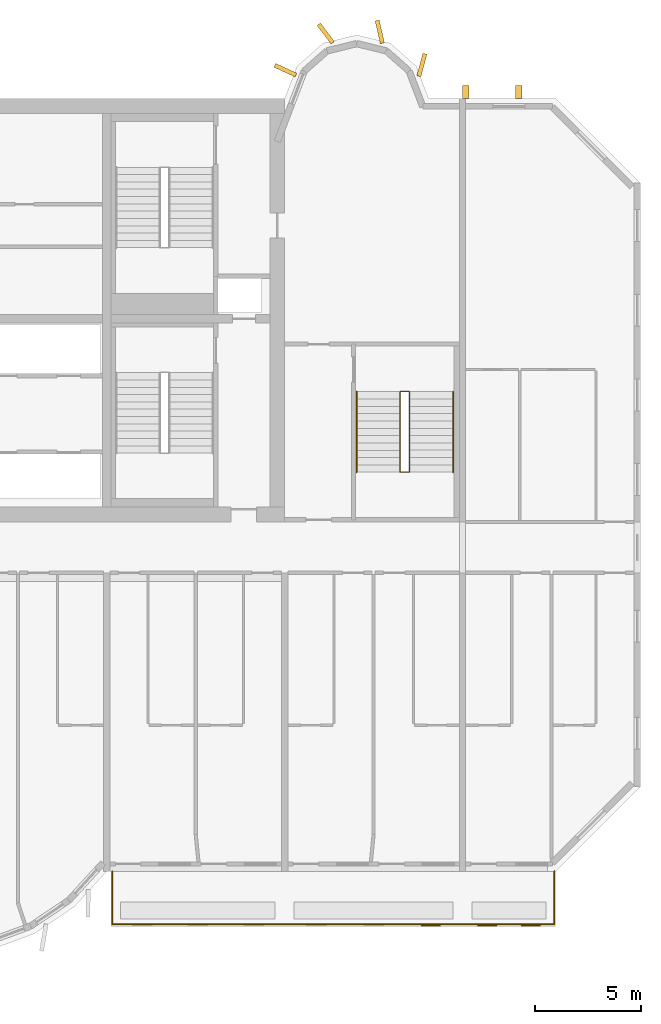
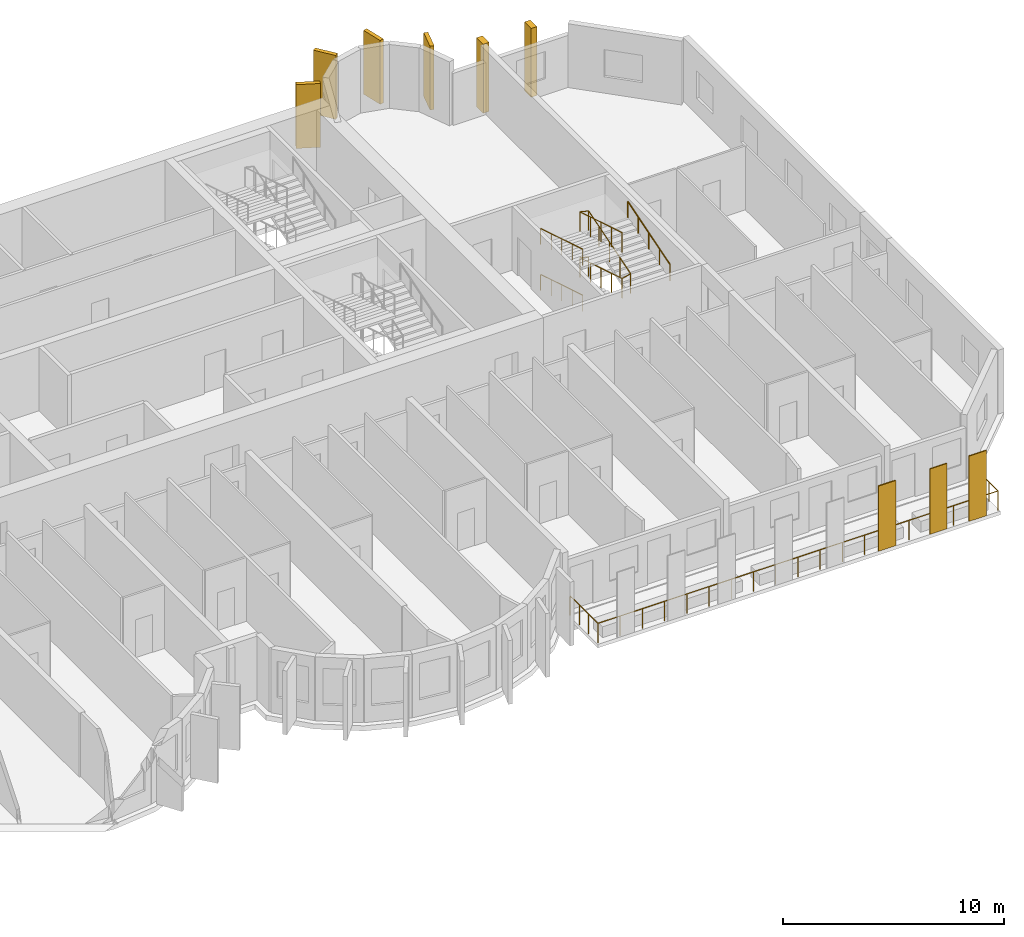
# One storey, part 12 of 13: 9 coverings, 5 railings.
"""IFC4 building model written with IfcOpenShell, lengths in metres."""

from ifc_helpers import new_model, si_unit, direction, frame, origin, origin_2d, place, context, subcontext, project, spatial, rectangle, circle, extrude, source, transform, mapped, material, layer, layer_set, material_profile, profile_set, type_object, element, save


model = new_model("IFC4")

# Units and contexts
model_context = context("Model", 3, precision=1e-05, world=origin(), true_north=direction((0.0, 1.0)))
body_context = subcontext(model_context, "Body", "Model", "MODEL_VIEW")
ifc_project = project(units=[si_unit("LENGTHUNIT", "METRE"), si_unit("AREAUNIT", "SQUARE_METRE"), si_unit("VOLUMEUNIT", "CUBIC_METRE"), si_unit("PLANEANGLEUNIT", "RADIAN"), si_unit("MASSUNIT", "GRAM", prefix="KILO")], contexts=[model_context])

# Site, building, storey
site_placement = place(None, origin())
site = spatial("IfcSite", under=ifc_project, at=site_placement, CompositionType="ELEMENT")
building_placement = place(site_placement, origin())
building = spatial("IfcBuilding", under=site, at=building_placement, Name="Vanashikhar Sky Hotel", CompositionType="ELEMENT")
storey_placement = place(building_placement, frame((0.0, 0.0, 182.0)))
storey = spatial("IfcBuildingStorey", under=building, at=storey_placement, Name="L44", CompositionType="ELEMENT", Elevation=182.0)

# Coverings
ifc_material_1 = material(Name="Terracotta", Category="masonry")
ifc_layer = layer(ifc_material_1, 0.06005859375)
ifc_layer_set = layer_set([ifc_layer], Name="Terracotta baguette screen")
covering_type_1 = type_object("IfcCoveringType", Name="Terracotta baguette screen", PredefinedType="CLADDING", material=ifc_layer_set)
shared_shape_1 = source(origin(), body_context, "Body", "SweptSolid", [
    extrude(rectangle(XDim=0.89990234375, YDim=0.06005859375, at=origin_2d()), origin(), (0.0, 0.0, 1.0), 3.60009765625),
])
for number, where, z_axis, x_axis, name in (
    (1, (82.5, 2.929931640625, -0.050048828125), (0.0, 0.0, 1.0), (1.0, 0.0, 0.0), "Terracotta screen"),
    (2, (85.175048828125, 2.929931640625, -0.050048828125), (0.0, 0.0, 1.0), (1.0, 0.0, 0.0), "Terracotta screen"),
    (3, (87.22509765625, 2.929931640625, -0.050048828125), (0.0, 0.0, 1.0), (1.0, 0.0, 0.0), "Terracotta screen"),
):
    element("IfcCovering", number, at=place(storey_placement, frame(where, z_axis=z_axis, x_axis=x_axis)), inside=storey, type_object=covering_type_1, Name=name, PredefinedType="CLADDING", context=body_context, shape_type="MappedRepresentation", body=[
        mapped(shared_shape_1, transform((0.0, 0.0, 0.0), scale=1.0)),
    ])
ifc_material_2 = material(Name="Concrete M60 dark", Category="concrete")
ifc_material_profile_1 = material_profile(ifc_material_2, rectangle(XDim=1.10009765625, YDim=0.199951171875, at=origin_2d()))
ifc_profile_set_1 = profile_set([ifc_material_profile_1], Name="Rear lobe fin 1100 x 200")
covering_type_2 = type_object("IfcCoveringType", Name="Rear lobe fin 1100 x 200", PredefinedType="CLADDING", material=ifc_profile_set_1)
shared_shape_2 = source(origin(), body_context, "Body", "SweptSolid", [
    extrude(rectangle(XDim=1.10009765625, YDim=0.199951171875, at=origin_2d()), origin(), (0.0, 0.0, 1.0), 3.52001953125),
])
for number, where, z_axis, x_axis, name in (
    (4, (75.63037109375, 43.33447265625, 0.0), (0.0, 0.0, 1.0), (-0.908004291068, 0.418960866193, 0.0), "Fin R2-1"),
    (5, (77.5380859375, 45.06640625, 0.0), (0.0, 0.0, 1.0), (-0.602065892195, 0.798446404874, 0.0), "Fin R2-2"),
    (6, (80.08984375, 45.1455078125, 0.0), (0.0, 0.0, 1.0), (-0.224644935864, 0.974440687159, 0.0), "Fin R2-3"),
    (7, (82.0791015625, 43.580078125, 0.0), (0.0, 0.0, 1.0), (0.262711264409, 0.964874495234, 0.0), "Fin R2-4"),
):
    element("IfcCovering", number, at=place(storey_placement, frame(where, z_axis=z_axis, x_axis=x_axis)), inside=storey, type_object=covering_type_2, Name=name, PredefinedType="CLADDING", context=body_context, shape_type="MappedRepresentation", body=[
        mapped(shared_shape_2, transform((0.0, 0.0, 0.0), scale=1.0)),
    ])

# Railing
ifc_material_3 = material(Name="Stainless steel 316", Category="steel")
railing_type_1 = type_object("IfcRailingType", Name="Balcony guard 1100", PredefinedType="GUARDRAIL", material=ifc_material_3)
shared_shape_3 = source(origin(), body_context, "Body", "SweptSolid", [
    extrude(circle(Radius=0.02392578125, at=origin_2d()), frame((0.0, 0.0, 1.076171875), z_axis=(0.0, -1.0, 0.0), x_axis=(1.0, 0.0, 0.0)), (0.0, 0.0, 1.0), 2.5),
    extrude(circle(Radius=0.02392578125, at=origin_2d()), frame((0.0, -2.5, 1.076171875), z_axis=(1.0, 0.0, 0.0), x_axis=(0.0, 1.0, 0.0)), (0.0, 0.0, 1.0), 20.880126953125),
    extrude(circle(Radius=0.02392578125, at=origin_2d()), frame((20.880126953125, -2.5, 1.076171875), z_axis=(0.0, 1.0, 0.0), x_axis=(-1.0, 0.0, 0.0)), (0.0, 0.0, 1.0), 2.5),
    extrude(circle(Radius=0.02099609375, at=origin_2d()), origin(), (0.0, 0.0, 1.0), 1.052001953125),
    extrude(circle(Radius=0.02099609375, at=origin_2d()), frame((0.0, -0.833251953125, 0.0)), (0.0, 0.0, 1.0), 1.052001953125),
    extrude(circle(Radius=0.02099609375, at=origin_2d()), frame((0.0, -1.666748046875, 0.0)), (0.0, 0.0, 1.0), 1.052001953125),
    extrude(circle(Radius=0.02099609375, at=origin_2d()), frame((0.0, -2.5, 0.0)), (0.0, 0.0, 1.0), 1.052001953125),
    extrude(circle(Radius=0.02099609375, at=origin_2d()), frame((1.159912109375, -2.5, 0.0)), (0.0, 0.0, 1.0), 1.052001953125),
    extrude(circle(Radius=0.02099609375, at=origin_2d()), frame((2.320068359375, -2.5, 0.0)), (0.0, 0.0, 1.0), 1.052001953125),
    extrude(circle(Radius=0.02099609375, at=origin_2d()), frame((3.47998046875, -2.5, 0.0)), (0.0, 0.0, 1.0), 1.052001953125),
    extrude(circle(Radius=0.02099609375, at=origin_2d()), frame((4.64013671875, -2.5, 0.0)), (0.0, 0.0, 1.0), 1.052001953125),
    extrude(circle(Radius=0.02099609375, at=origin_2d()), frame((5.800048828125, -2.5, 0.0)), (0.0, 0.0, 1.0), 1.052001953125),
    extrude(circle(Radius=0.02099609375, at=origin_2d()), frame((6.9599609375, -2.5, 0.0)), (0.0, 0.0, 1.0), 1.052001953125),
    extrude(circle(Radius=0.02099609375, at=origin_2d()), frame((8.1201171875, -2.5, 0.0)), (0.0, 0.0, 1.0), 1.052001953125),
    extrude(circle(Radius=0.02099609375, at=origin_2d()), frame((9.280029296875, -2.5, 0.0)), (0.0, 0.0, 1.0), 1.052001953125),
    extrude(circle(Radius=0.02099609375, at=origin_2d()), frame((10.43994140625, -2.5, 0.0)), (0.0, 0.0, 1.0), 1.052001953125),
    extrude(circle(Radius=0.02099609375, at=origin_2d()), frame((11.60009765625, -2.5, 0.0)), (0.0, 0.0, 1.0), 1.052001953125),
    extrude(circle(Radius=0.02099609375, at=origin_2d()), frame((12.760009765625, -2.5, 0.0)), (0.0, 0.0, 1.0), 1.052001953125),
    extrude(circle(Radius=0.02099609375, at=origin_2d()), frame((13.920166015625, -2.5, 0.0)), (0.0, 0.0, 1.0), 1.052001953125),
    extrude(circle(Radius=0.02099609375, at=origin_2d()), frame((15.080078125, -2.5, 0.0)), (0.0, 0.0, 1.0), 1.052001953125),
    extrude(circle(Radius=0.02099609375, at=origin_2d()), frame((16.239990234375, -2.5, 0.0)), (0.0, 0.0, 1.0), 1.052001953125),
    extrude(circle(Radius=0.02099609375, at=origin_2d()), frame((17.400146484375, -2.5, 0.0)), (0.0, 0.0, 1.0), 1.052001953125),
    extrude(circle(Radius=0.02099609375, at=origin_2d()), frame((18.56005859375, -2.5, 0.0)), (0.0, 0.0, 1.0), 1.052001953125),
    extrude(circle(Radius=0.02099609375, at=origin_2d()), frame((19.72021484375, -2.5, 0.0)), (0.0, 0.0, 1.0), 1.052001953125),
    extrude(circle(Radius=0.02099609375, at=origin_2d()), frame((20.880126953125, -2.5, 0.0)), (0.0, 0.0, 1.0), 1.052001953125),
    extrude(circle(Radius=0.02099609375, at=origin_2d()), frame((20.880126953125, -1.666748046875, 0.0)), (0.0, 0.0, 1.0), 1.052001953125),
    extrude(circle(Radius=0.02099609375, at=origin_2d()), frame((20.880126953125, -0.833251953125, 0.0)), (0.0, 0.0, 1.0), 1.052001953125),
    extrude(circle(Radius=0.02099609375, at=origin_2d()), frame((20.880126953125, 0.0, 0.0)), (0.0, 0.0, 1.0), 1.052001953125),
])
railing_1_placement = place(storey_placement, frame((67.4599609375, 5.5, -0.050048828125)))
element("IfcRailing", 8, at=railing_1_placement, inside=storey, type_object=railing_type_1, Name="Balcony guard", PredefinedType="GUARDRAIL", context=body_context, shape_type="MappedRepresentation", body=[
    mapped(shared_shape_3, transform((0.0, 0.0, 0.0), scale=1.0)),
])

# Coverings
ifc_material_profile_2 = material_profile(ifc_material_2, rectangle(XDim=0.60009765625, YDim=0.300048828125, at=origin_2d()))
ifc_profile_set_2 = profile_set([ifc_material_profile_2], Name="Rear rib 600 x 300")
covering_type_3 = type_object("IfcCoveringType", Name="Rear rib 600 x 300", PredefinedType="CLADDING", material=ifc_profile_set_2)
shared_shape_4 = source(origin(), body_context, "Body", "SweptSolid", [
    extrude(rectangle(XDim=0.60009765625, YDim=0.300048828125, at=origin_2d()), origin(), (0.0, 0.0, 1.0), 3.800048828125),
])
for number, where, z_axis, x_axis, name in (
    (9, (84.14990234375, 42.300048828125, -0.280029296875), (0.0, 0.0, 1.0), (0.0, 1.0, 0.0), "Rear rib"),
    (10, (86.64990234375, 42.300048828125, -0.280029296875), (0.0, 0.0, 1.0), (0.0, 1.0, 0.0), "Rear rib"),
):
    element("IfcCovering", number, at=place(storey_placement, frame(where, z_axis=z_axis, x_axis=x_axis)), inside=storey, type_object=covering_type_3, Name=name, PredefinedType="CLADDING", context=body_context, shape_type="MappedRepresentation", body=[
        mapped(shared_shape_4, transform((0.0, 0.0, 0.0), scale=1.0)),
    ])

# Railings
ifc_material_4 = material(Name="Steel S355", Category="steel")
railing_type_2 = type_object("IfcRailingType", Name="Stair handrail 900", PredefinedType="HANDRAIL", material=ifc_material_4)
shared_shape_5 = source(origin(), body_context, "Body", "SweptSolid", [
    extrude(circle(Radius=0.02392578125, at=origin_2d()), frame((0.0, 0.0, 0.8759765625), z_axis=(0.0, 0.956345846891, 0.292237268557), x_axis=(-1.0, 0.0, 0.0)), (0.0, 0.0, 1.0), 3.97314453125),
    extrude(circle(Radius=0.02099609375, at=origin_2d()), origin(), (0.0, 0.0, 1.0), 0.851806640625),
    extrude(circle(Radius=0.02099609375, at=origin_2d()), frame((0.0, 0.949951171875, 0.290283203125)), (0.0, 0.0, 1.0), 0.851806640625),
    extrude(circle(Radius=0.02099609375, at=origin_2d()), frame((0.0, 1.89990234375, 0.58056640625)), (0.0, 0.0, 1.0), 0.851806640625),
    extrude(circle(Radius=0.02099609375, at=origin_2d()), frame((0.0, 2.849853515625, 0.870849609375)), (0.0, 0.0, 1.0), 0.851806640625),
    extrude(circle(Radius=0.02099609375, at=origin_2d()), frame((0.0, 3.7998046875, 1.1611328125)), (0.0, 0.0, 1.0), 0.851806640625),
])
railing_2_placement = place(storey_placement, frame((83.550048828125, 24.35009765625, 1.372314453125)))
element("IfcRailing", 11, at=railing_2_placement, inside=storey, type_object=railing_type_2, Name="Exit stair 4 handrail", PredefinedType="HANDRAIL", context=body_context, shape_type="MappedRepresentation", body=[
    mapped(shared_shape_5, transform((0.0, 0.0, 0.0), scale=1.0)),
])
shared_shape_6 = source(origin(), body_context, "Body", "SweptSolid", [
    extrude(circle(Radius=0.02392578125, at=origin_2d()), frame((0.0, 0.0, 0.8759765625), z_axis=(0.0, -0.956345846891, 0.292237268557), x_axis=(1.0, 0.0, 0.0)), (0.0, 0.0, 1.0), 3.97314453125),
    extrude(circle(Radius=0.02099609375, at=origin_2d()), origin(), (0.0, 0.0, 1.0), 0.851806640625),
    extrude(circle(Radius=0.02099609375, at=origin_2d()), frame((0.0, -0.949951171875, 0.290283203125)), (0.0, 0.0, 1.0), 0.851806640625),
    extrude(circle(Radius=0.02099609375, at=origin_2d()), frame((0.0, -1.89990234375, 0.58056640625)), (0.0, 0.0, 1.0), 0.851806640625),
    extrude(circle(Radius=0.02099609375, at=origin_2d()), frame((0.0, -2.849853515625, 0.870849609375)), (0.0, 0.0, 1.0), 0.851806640625),
    extrude(circle(Radius=0.02099609375, at=origin_2d()), frame((0.0, -3.7998046875, 1.1611328125)), (0.0, 0.0, 1.0), 0.851806640625),
])
for number, where, name in (
    (12, (79.0, 28.14990234375, 0.10546875), "Exit stair 4 handrail"),
    (13, (79.0, 28.14990234375, 2.638916015625), "Exit stair 4 handrail"),
):
    element("IfcRailing", number, at=place(storey_placement, frame(where)), inside=storey, type_object=railing_type_2, Name=name, PredefinedType="HANDRAIL", context=body_context, shape_type="MappedRepresentation", body=[
        mapped(shared_shape_6, transform((0.0, 0.0, 0.0), scale=1.0)),
    ])
railing_type_3 = type_object("IfcRailingType", Name="Stair guard 1100", PredefinedType="GUARDRAIL", material=ifc_material_4)
shared_shape_7 = source(origin(), body_context, "Body", "SweptSolid", [
    extrude(circle(Radius=0.02392578125, at=origin_2d()), frame((0.0, 0.0, 1.076171875), z_axis=(-0.973610808694, 0.0, 0.228214796178), x_axis=(0.0, -1.0, 0.0)), (0.0, 0.0, 1.0), 0.462158203125),
    extrude(circle(Radius=0.02392578125, at=origin_2d()), frame((-0.449951171875, 0.0, 1.181640625), z_axis=(0.0, -0.956345846891, 0.292237268557), x_axis=(1.0, 0.0, 0.0)), (0.0, 0.0, 1.0), 3.97314453125),
    extrude(circle(Radius=0.02392578125, at=origin_2d()), frame((-0.449951171875, -3.7998046875, 2.3427734375), z_axis=(0.973493315427, 0.0, 0.228715466945), x_axis=(0.0, 1.0, 0.0)), (0.0, 0.0, 1.0), 0.462158203125),
    extrude(circle(Radius=0.02392578125, at=origin_2d()), frame((0.0, -3.7998046875, 2.4482421875), z_axis=(0.0, 0.956345846891, 0.292237268557), x_axis=(-1.0, 0.0, 0.0)), (0.0, 0.0, 1.0), 3.97314453125),
    extrude(circle(Radius=0.02392578125, at=origin_2d()), frame((0.0, 0.0, 3.609375), z_axis=(-0.973610808694, 0.0, 0.228214796178), x_axis=(0.0, -1.0, 0.0)), (0.0, 0.0, 1.0), 0.462158203125),
    extrude(circle(Radius=0.02392578125, at=origin_2d()), frame((-0.449951171875, 0.0, 3.71484375), z_axis=(0.0, -0.956345846891, 0.292237268557), x_axis=(1.0, 0.0, 0.0)), (0.0, 0.0, 1.0), 3.97314453125),
    extrude(circle(Radius=0.02099609375, at=origin_2d()), origin(), (0.0, 0.0, 1.0), 1.052001953125),
    extrude(circle(Radius=0.02099609375, at=origin_2d()), frame((-0.449951171875, 0.0, 0.10546875)), (0.0, 0.0, 1.0), 1.052001953125),
    extrude(circle(Radius=0.02099609375, at=origin_2d()), frame((-0.449951171875, -0.949951171875, 0.395751953125)), (0.0, 0.0, 1.0), 1.052001953125),
    extrude(circle(Radius=0.02099609375, at=origin_2d()), frame((-0.449951171875, -1.89990234375, 0.68603515625)), (0.0, 0.0, 1.0), 1.052001953125),
    extrude(circle(Radius=0.02099609375, at=origin_2d()), frame((-0.449951171875, -2.849853515625, 0.976318359375)), (0.0, 0.0, 1.0), 1.052001953125),
    extrude(circle(Radius=0.02099609375, at=origin_2d()), frame((-0.449951171875, -3.7998046875, 1.2666015625)), (0.0, 0.0, 1.0), 1.052001953125),
    extrude(circle(Radius=0.02099609375, at=origin_2d()), frame((0.0, -3.7998046875, 1.372314453125)), (0.0, 0.0, 1.0), 1.052001953125),
    extrude(circle(Radius=0.02099609375, at=origin_2d()), frame((0.0, -2.849853515625, 1.66259765625)), (0.0, 0.0, 1.0), 1.052001953125),
    extrude(circle(Radius=0.02099609375, at=origin_2d()), frame((0.0, -1.89990234375, 1.952880859375)), (0.0, 0.0, 1.0), 1.052001953125),
    extrude(circle(Radius=0.02099609375, at=origin_2d()), frame((0.0, -0.949951171875, 2.2431640625)), (0.0, 0.0, 1.0), 1.052001953125),
    extrude(circle(Radius=0.02099609375, at=origin_2d()), frame((0.0, 0.0, 2.533447265625)), (0.0, 0.0, 1.0), 1.052001953125),
    extrude(circle(Radius=0.02099609375, at=origin_2d()), frame((-0.449951171875, 0.0, 2.638916015625)), (0.0, 0.0, 1.0), 1.052001953125),
    extrude(circle(Radius=0.02099609375, at=origin_2d()), frame((-0.449951171875, -0.949951171875, 2.92919921875)), (0.0, 0.0, 1.0), 1.052001953125),
    extrude(circle(Radius=0.02099609375, at=origin_2d()), frame((-0.449951171875, -1.89990234375, 3.219482421875)), (0.0, 0.0, 1.0), 1.052001953125),
    extrude(circle(Radius=0.02099609375, at=origin_2d()), frame((-0.449951171875, -2.849853515625, 3.509765625)), (0.0, 0.0, 1.0), 1.052001953125),
    extrude(circle(Radius=0.02099609375, at=origin_2d()), frame((-0.449951171875, -3.7998046875, 3.800048828125)), (0.0, 0.0, 1.0), 1.052001953125),
])
railing_3_placement = place(storey_placement, frame((81.5, 28.14990234375, 0.0)))
element("IfcRailing", 14, at=railing_3_placement, inside=storey, type_object=railing_type_3, Name="Exit stair 4 guard", PredefinedType="GUARDRAIL", context=body_context, shape_type="MappedRepresentation", body=[
    mapped(shared_shape_7, transform((0.0, 0.0, 0.0), scale=1.0)),
])

save(model, "model.ifc")
